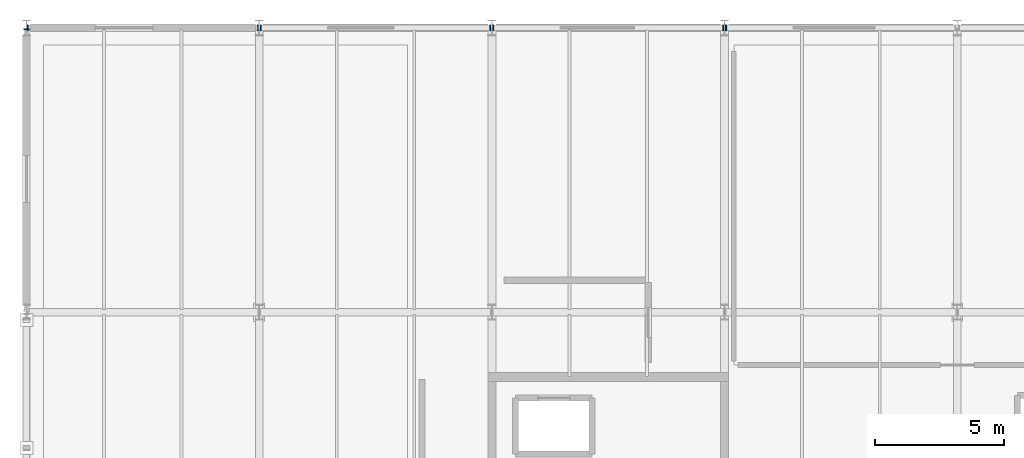
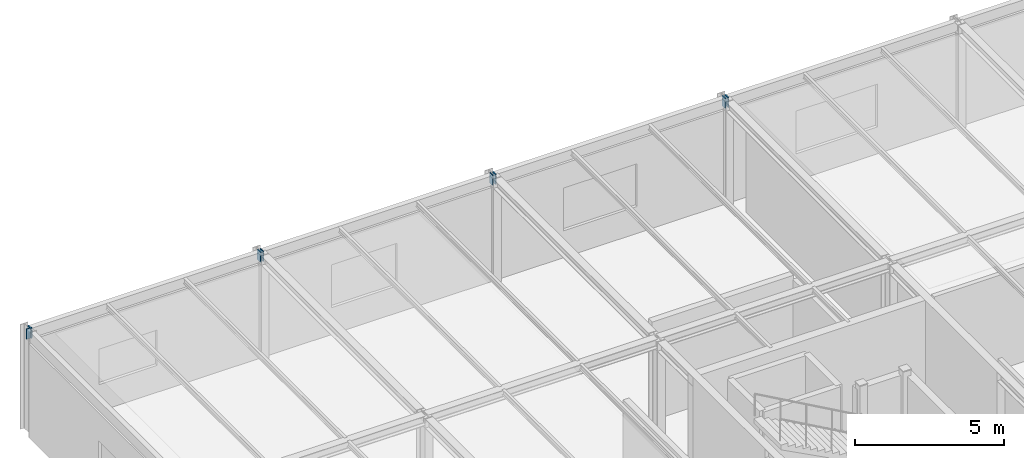
# One storey, part 83 of 105: 8 discrete accessories.
"""IFC4 building model written with IfcOpenShell, lengths in metres."""

from ifc_helpers import new_model, si_unit, direction, frame, origin, origin_2d, place, context, subcontext, project, spatial, rectangle, extrude, material, element, save


model = new_model("IFC4")

# Units and contexts
model_context = context("Model", 3, precision=1e-05, world=origin(), true_north=direction((0.0, 1.0)))
body_context = subcontext(model_context, "Body", "Model", "MODEL_VIEW")
ifc_project = project(units=[si_unit("LENGTHUNIT", "METRE"), si_unit("AREAUNIT", "SQUARE_METRE"), si_unit("VOLUMEUNIT", "CUBIC_METRE"), si_unit("PLANEANGLEUNIT", "RADIAN"), si_unit("MASSUNIT", "GRAM", prefix="KILO")], contexts=[model_context])

# Site, building, storey
site_placement = place(None, origin())
site = spatial("IfcSite", under=ifc_project, at=site_placement, CompositionType="ELEMENT")
building_placement = place(site_placement, origin())
building = spatial("IfcBuilding", under=site, at=building_placement, Name="Marlcrest Central Station", CompositionType="ELEMENT")
storey_placement = place(building_placement, frame((0.0, 0.0, 15.0)))
storey = spatial("IfcBuildingStorey", under=building, at=storey_placement, Name="L03", CompositionType="ELEMENT", Elevation=15.0)

# Discrete accessories
ifc_material = material(Name="Steel S355", Category="steel")
for number, where, z_axis, x_axis, name in (
    (1, (0.03515625, 132.0, 4.0849609375), (1.0, 0.0, 0.0), (0.0, 1.0, 0.0), "endcap-bm-SP-01-L03-00492-s"),
    (2, (8.925048828125, 132.0, 4.0849609375), (1.0, 0.0, 0.0), (0.0, 1.0, 0.0), "endcap-bm-SP-01-L03-00492-e"),
    (3, (9.03515625, 132.0, 4.0849609375), (1.0, 0.0, 0.0), (0.0, 1.0, 0.0), "endcap-bm-SP-01-L03-00493-s"),
    (4, (17.925048828125, 132.0, 4.0849609375), (1.0, 0.0, 0.0), (0.0, 1.0, 0.0), "endcap-bm-SP-01-L03-00493-e"),
    (5, (18.03515625, 132.0, 4.0849609375), (1.0, 0.0, 0.0), (0.0, 1.0, 0.0), "endcap-bm-SP-01-L03-00494-s"),
    (6, (26.925048828125, 132.0, 4.0849609375), (1.0, 0.0, 0.0), (0.0, 1.0, 0.0), "endcap-bm-SP-01-L03-00494-e"),
    (7, (27.03515625, 132.0, 4.0849609375), (1.0, 0.0, 0.0), (0.0, 1.0, 0.0), "endcap-bm-SP-01-L03-00495-s"),
    (8, (0.0, 131.925048828125, 4.0849609375), (0.0, 1.0, 0.0), (-1.0, 0.0, 0.0), "endcap-bm-SP-01-L03-00502-e"),
):
    element("IfcDiscreteAccessory", number, at=place(storey_placement, frame(where, z_axis=z_axis, x_axis=x_axis)), inside=storey, material=ifc_material, Name=name, ObjectType="END_CAP_PLATE", PredefinedType="BRACKET", context=body_context, shape_type="SweptSolid", body=[
        extrude(rectangle(XDim=0.216064453125, YDim=0.416015625, at=origin_2d()), origin(), (0.0, 0.0, 1.0), 0.0400390625),
    ])

save(model, "model.ifc")
